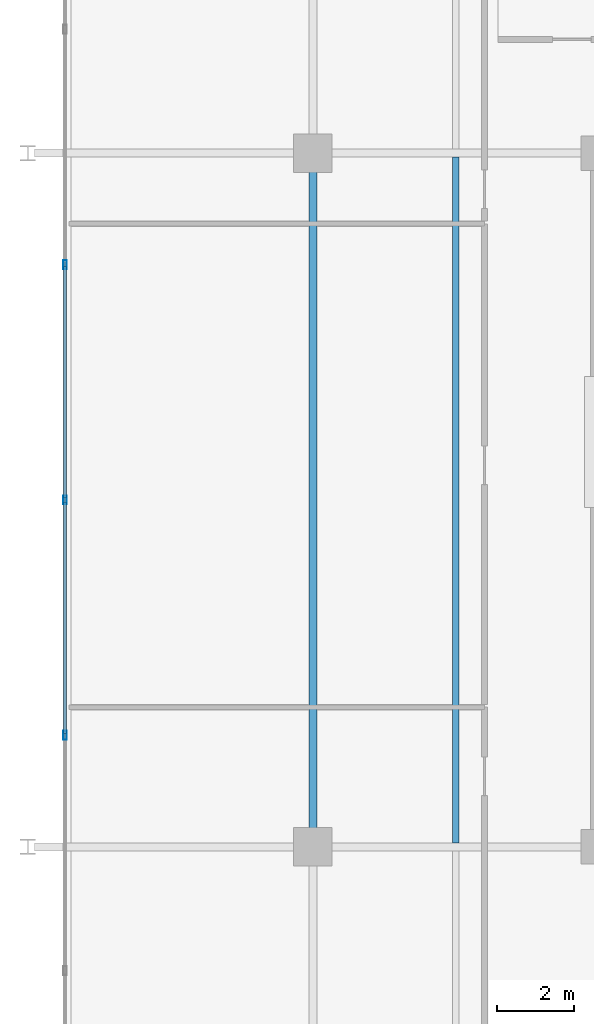
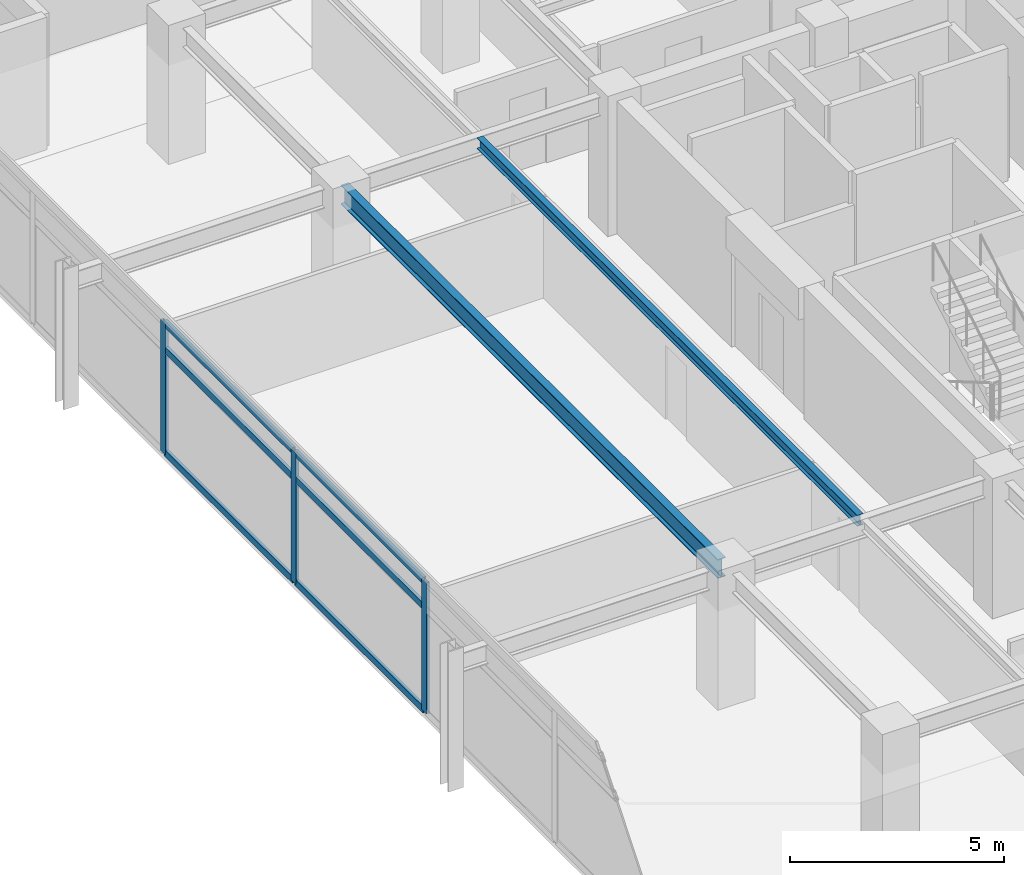
# One storey, part 4 of 20: 9 members, 2 beams, 1 element without a shape of its own.
"""IFC4 building model written with IfcOpenShell, lengths in metres."""

from ifc_helpers import new_model, si_unit, direction, frame, origin, origin_2d, place, context, subcontext, project, spatial, hollow_rectangle, i_section, extrude, material, material_profile, profile_set, type_object, element, aggregate, save


model = new_model("IFC4")

# Units and contexts
model_context = context("Model", 3, precision=1e-05, world=origin(), true_north=direction((0.0, 1.0)))
body_context = subcontext(model_context, "Body", "Model", "MODEL_VIEW")
ifc_project = project(units=[si_unit("LENGTHUNIT", "METRE"), si_unit("AREAUNIT", "SQUARE_METRE"), si_unit("VOLUMEUNIT", "CUBIC_METRE"), si_unit("PLANEANGLEUNIT", "RADIAN"), si_unit("MASSUNIT", "GRAM", prefix="KILO")], contexts=[model_context])

# Site, building, storey
site_placement = place(None, origin())
site = spatial("IfcSite", under=ifc_project, at=site_placement, CompositionType="ELEMENT")
building_placement = place(site_placement, origin())
building = spatial("IfcBuilding", under=site, at=building_placement, Name="Kovane Verandah Tower", CompositionType="ELEMENT")
storey_placement = place(building_placement, frame((0.0, 0.0, 318.800048828125)))
storey = spatial("IfcBuildingStorey", under=building, at=storey_placement, Name="L74", CompositionType="ELEMENT", Elevation=318.800048828125)

# Beam
ifc_material_1 = material(Name="Steel S355", Category="steel")
ifc_material_profile_1 = material_profile(ifc_material_1, i_section(OverallWidth=0.2119140625, OverallDepth=0.54443359375, WebThickness=0.0126953125, FlangeThickness=0.021240234375, FilletRadius=0.0126953125, at=origin_2d()), Name="UB533x210x122")
ifc_profile_set_1 = profile_set([ifc_material_profile_1], Name="Steel S355")
beam_type_1 = type_object("IfcBeamType", Name="BM-UB533x122", PredefinedType="BEAM", material=ifc_profile_set_1)
beam_1_placement = place(storey_placement, frame((21.60009765625, 18.679931640625, 3.5126953125), z_axis=(0.0, 1.0, 0.0), x_axis=(-1.0, 0.0, 0.0)))
element("IfcBeam", 1, at=beam_1_placement, inside=storey, type_object=beam_type_1, Name="L74 Primary Tower Girder G-RW2", PredefinedType="BEAM", context=body_context, shape_type="SweptSolid", body=[
    extrude(i_section(OverallWidth=0.2119140625, OverallDepth=0.54443359375, WebThickness=0.0126953125, FlangeThickness=0.021240234375, FilletRadius=0.0126953125, at=origin_2d()), origin(), (0.0, 0.0, 1.0), 17.64013671875),
])

# Curtain wall, members
ifc_material_2 = material(Name="Champagne Anodised Aluminium Frame with Low-E Clear Laminated Glass", Category="aluminium")
curtain_wall_type = type_object("IfcCurtainWallType", Name="CW-SYS-05-HIGH", PredefinedType="NOTDEFINED", material=ifc_material_2)
curtain_wall_placement = place(storey_placement, origin())
curtain_wall = element("IfcCurtainWall", 2, at=curtain_wall_placement, inside=storey, type_object=curtain_wall_type, Name="L74 W Unitised Curtain Wall", PredefinedType="NOTDEFINED")
ifc_material_3 = material(Name="Champagne Anodised Aluminium 6063-T6", Category="aluminium")
ifc_material_profile_2 = material_profile(ifc_material_3, hollow_rectangle(XDim=0.0849609375, YDim=0.22998046875, WallThickness=0.00390625, at=origin_2d()), Name="AL85x230x4")
ifc_profile_set_2 = profile_set([ifc_material_profile_2], Name="Champagne Anodised Aluminium 6063-T6")
member_type_1 = type_object("IfcMemberType", Name="CW-MUL-85x230", PredefinedType="MULLION", material=ifc_profile_set_2)
member_1_placement = place(storey_placement, frame((15.16845703125, 33.605224609375, 0.02001953125), z_axis=(0.0, 0.0, 1.0), x_axis=(-1.0, 0.0, 0.0)))
member_1 = element("IfcMember", 3, at=member_1_placement, type_object=member_type_1, Name="L74 W Unitised Curtain Wall Mullion 3", PredefinedType="MULLION", context=body_context, shape_type="SweptSolid", body=[
    extrude(hollow_rectangle(XDim=0.0849609375, YDim=0.22998046875, WallThickness=0.00390625, at=origin_2d()), origin(), (0.0, 0.0, 1.0), 3.744873046875),
])
member_2_placement = place(storey_placement, frame((15.16845703125, 27.5, 0.02001953125), z_axis=(0.0, 0.0, 1.0), x_axis=(-1.0, 0.0, 0.0)))
member_2 = element("IfcMember", 4, at=member_2_placement, type_object=member_type_1, Name="L74 W Unitised Curtain Wall Mullion 4", PredefinedType="MULLION", context=body_context, shape_type="SweptSolid", body=[
    extrude(hollow_rectangle(XDim=0.0849609375, YDim=0.22998046875, WallThickness=0.00390625, at=origin_2d()), origin(), (0.0, 0.0, 1.0), 3.744873046875),
])
member_3_placement = place(storey_placement, frame((15.16845703125, 21.394775390625, 0.02001953125), z_axis=(0.0, 0.0, 1.0), x_axis=(-1.0, 0.0, 0.0)))
member_3 = element("IfcMember", 5, at=member_3_placement, type_object=member_type_1, Name="L74 W Unitised Curtain Wall Mullion 5", PredefinedType="MULLION", context=body_context, shape_type="SweptSolid", body=[
    extrude(hollow_rectangle(XDim=0.0849609375, YDim=0.22998046875, WallThickness=0.00390625, at=origin_2d()), origin(), (0.0, 0.0, 1.0), 3.744873046875),
])
ifc_material_profile_3 = material_profile(ifc_material_3, hollow_rectangle(XDim=0.0849609375, YDim=0.18994140625, WallThickness=0.00390625, at=origin_2d()), Name="AL85x190x4")
ifc_profile_set_3 = profile_set([ifc_material_profile_3], Name="Champagne Anodised Aluminium 6063-T6")
member_type_2 = type_object("IfcMemberType", Name="CW-TRN-85x190", PredefinedType="USERDEFINED", material=ifc_profile_set_3)
member_4_placement = place(storey_placement, frame((15.16845703125, 33.55517578125, 0.050048828125), z_axis=(0.0, -1.0, 0.0), x_axis=(1.0, 0.0, 0.0)))
member_4 = element("IfcMember", 6, at=member_4_placement, type_object=member_type_2, Name="L74 W Unitised Curtain Wall Transom TB Bay 3", ObjectType="TRANSOM", PredefinedType="USERDEFINED", context=body_context, shape_type="SweptSolid", body=[
    extrude(hollow_rectangle(XDim=0.0849609375, YDim=0.18994140625, WallThickness=0.00390625, at=origin_2d()), origin(), (0.0, 0.0, 1.0), 6.005126953125),
])
member_5_placement = place(storey_placement, frame((15.16845703125, 33.55517578125, 3.0048828125), z_axis=(0.0, -1.0, 0.0), x_axis=(1.0, 0.0, 0.0)))
member_5 = element("IfcMember", 7, at=member_5_placement, type_object=member_type_2, Name="L74 W Unitised Curtain Wall Transom TM Bay 3", ObjectType="TRANSOM", PredefinedType="USERDEFINED", context=body_context, shape_type="SweptSolid", body=[
    extrude(hollow_rectangle(XDim=0.0849609375, YDim=0.18994140625, WallThickness=0.00390625, at=origin_2d()), origin(), (0.0, 0.0, 1.0), 6.005126953125),
])
member_6_placement = place(storey_placement, frame((15.16845703125, 33.55517578125, 3.73486328125), z_axis=(0.0, -1.0, 0.0), x_axis=(1.0, 0.0, 0.0)))
member_6 = element("IfcMember", 8, at=member_6_placement, type_object=member_type_2, Name="L74 W Unitised Curtain Wall Transom TT Bay 3", ObjectType="TRANSOM", PredefinedType="USERDEFINED", context=body_context, shape_type="SweptSolid", body=[
    extrude(hollow_rectangle(XDim=0.0849609375, YDim=0.18994140625, WallThickness=0.00390625, at=origin_2d()), origin(), (0.0, 0.0, 1.0), 6.005126953125),
])
member_7_placement = place(storey_placement, frame((15.16845703125, 27.449951171875, 0.050048828125), z_axis=(0.0, -1.0, 0.0), x_axis=(1.0, 0.0, 0.0)))
member_7 = element("IfcMember", 9, at=member_7_placement, type_object=member_type_2, Name="L74 W Unitised Curtain Wall Transom TB Bay 4", ObjectType="TRANSOM", PredefinedType="USERDEFINED", context=body_context, shape_type="SweptSolid", body=[
    extrude(hollow_rectangle(XDim=0.0849609375, YDim=0.18994140625, WallThickness=0.00390625, at=origin_2d()), origin(), (0.0, 0.0, 1.0), 6.005126953125),
])
member_8_placement = place(storey_placement, frame((15.16845703125, 27.449951171875, 3.0048828125), z_axis=(0.0, -1.0, 0.0), x_axis=(1.0, 0.0, 0.0)))
member_8 = element("IfcMember", 10, at=member_8_placement, type_object=member_type_2, Name="L74 W Unitised Curtain Wall Transom TM Bay 4", ObjectType="TRANSOM", PredefinedType="USERDEFINED", context=body_context, shape_type="SweptSolid", body=[
    extrude(hollow_rectangle(XDim=0.0849609375, YDim=0.18994140625, WallThickness=0.00390625, at=origin_2d()), origin(), (0.0, 0.0, 1.0), 6.005126953125),
])
member_9_placement = place(storey_placement, frame((15.16845703125, 27.449951171875, 3.73486328125), z_axis=(0.0, -1.0, 0.0), x_axis=(1.0, 0.0, 0.0)))
member_9 = element("IfcMember", 11, at=member_9_placement, type_object=member_type_2, Name="L74 W Unitised Curtain Wall Transom TT Bay 4", ObjectType="TRANSOM", PredefinedType="USERDEFINED", context=body_context, shape_type="SweptSolid", body=[
    extrude(hollow_rectangle(XDim=0.0849609375, YDim=0.18994140625, WallThickness=0.00390625, at=origin_2d()), origin(), (0.0, 0.0, 1.0), 6.005126953125),
])
aggregate(curtain_wall, [member_1, member_2, member_3, member_4, member_5, member_6, member_7, member_8, member_9])

# Beam
ifc_material_profile_4 = material_profile(ifc_material_1, i_section(OverallWidth=0.1669921875, OverallDepth=0.310302734375, WebThickness=0.0078125, FlangeThickness=0.013671875, FilletRadius=0.0087890625, at=origin_2d()), Name="UB305x165x54")
ifc_profile_set_4 = profile_set([ifc_material_profile_4], Name="Steel S355")
beam_type_2 = type_object("IfcBeamType", Name="JST-UB305x54", PredefinedType="JOIST", material=ifc_profile_set_4)
beam_2_placement = place(storey_placement, frame((25.300048828125, 18.60400390625, 3.629638671875), z_axis=(0.0, 1.0, 0.0), x_axis=(-1.0, 0.0, 0.0)))
element("IfcBeam", 12, at=beam_2_placement, inside=storey, type_object=beam_type_2, Name="L74 Secondary Composite Joist J-W1", PredefinedType="JOIST", context=body_context, shape_type="SweptSolid", body=[
    extrude(i_section(OverallWidth=0.1669921875, OverallDepth=0.310302734375, WebThickness=0.0078125, FlangeThickness=0.013671875, FilletRadius=0.0087890625, at=origin_2d()), origin(), (0.0, 0.0, 1.0), 17.7919921875),
])

save(model, "model.ifc")
